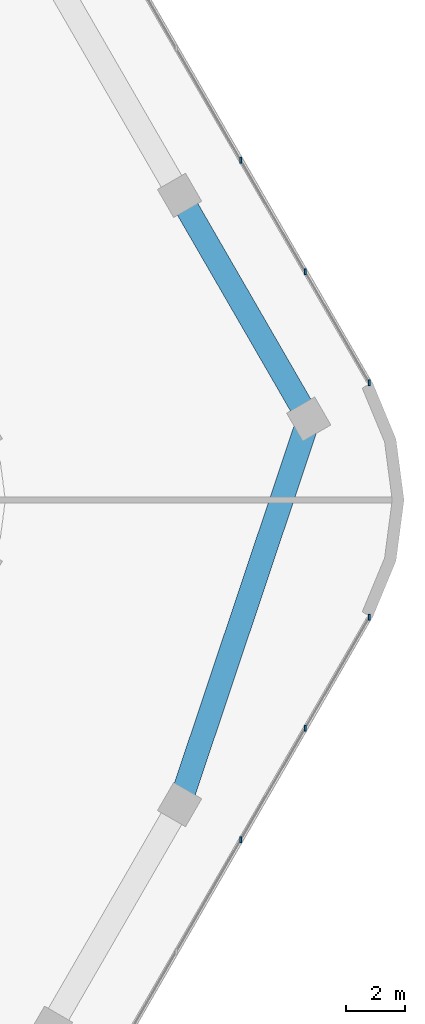
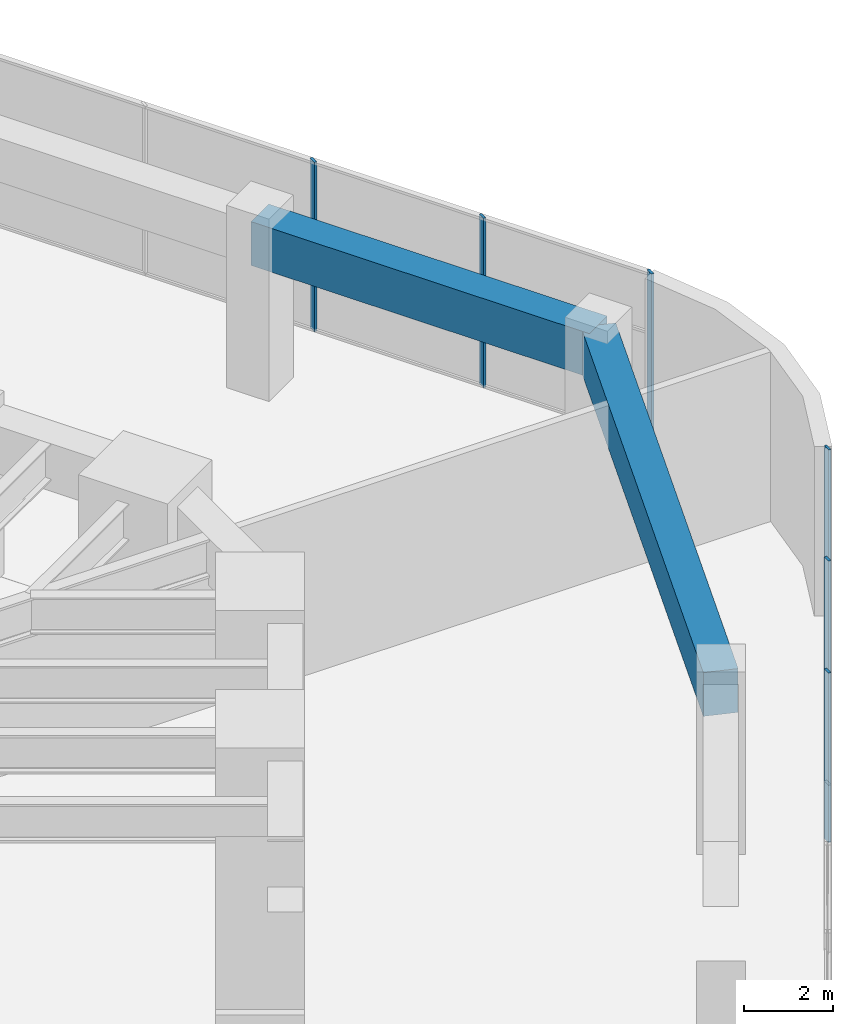
# One storey, part 14 of 31: 6 members, 2 beams, 2 elements without a shape of their own.
"""IFC4 building model written with IfcOpenShell, lengths in metres."""

from ifc_helpers import new_model, si_unit, direction, frame, origin, origin_2d, place, context, subcontext, project, spatial, rectangle, extrude, material, material_profile, profile_set, type_object, element, aggregate, save


model = new_model("IFC4")

# Units and contexts
model_context = context("Model", 3, precision=1e-05, world=origin(), true_north=direction((0.0, 1.0)))
body_context = subcontext(model_context, "Body", "Model", "MODEL_VIEW")
ifc_project = project(units=[si_unit("LENGTHUNIT", "METRE"), si_unit("AREAUNIT", "SQUARE_METRE"), si_unit("VOLUMEUNIT", "CUBIC_METRE"), si_unit("PLANEANGLEUNIT", "RADIAN"), si_unit("MASSUNIT", "GRAM", prefix="KILO")], contexts=[model_context])

# Site, building, storey
site_placement = place(None, origin())
site = spatial("IfcSite", under=ifc_project, at=site_placement, CompositionType="ELEMENT")
building_placement = place(site_placement, origin())
building = spatial("IfcBuilding", under=site, at=building_placement, Name="Tarfa Lantern Tower", CompositionType="ELEMENT")
storey_placement = place(building_placement, frame((0.0, 0.0, 18.5)))
storey = spatial("IfcBuildingStorey", under=building, at=storey_placement, Name="L03", CompositionType="ELEMENT", Elevation=18.5)

# Curtain wall, members
ifc_material_1 = material(Name="Aluminium framed curtain wall", Category="aluminium")
curtain_wall_type = type_object("IfcCurtainWallType", Name="CW7 PODIUM GLAZING 4650", PredefinedType="USERDEFINED", material=ifc_material_1)
curtain_wall_1_placement = place(storey_placement, origin())
curtain_wall_1 = element("IfcCurtainWall", 1, at=curtain_wall_1_placement, inside=storey, type_object=curtain_wall_type, Name="CW7 NE L03", ObjectType="CURTAIN WALL", PredefinedType="USERDEFINED")
ifc_material_2 = material(Name="Aluminium mullion", Category="aluminium")
ifc_material_profile_1 = material_profile(ifc_material_2, rectangle(XDim=0.06494140625, YDim=0.199951171875, at=origin_2d()), Name="AL MULLION 65x200")
ifc_profile_set_1 = profile_set([ifc_material_profile_1], Name="Aluminium mullion")
member_type = type_object("IfcMemberType", Name="CWM1 MULLION 65x200", PredefinedType="MULLION", material=ifc_profile_set_1)
member_1_placement = place(storey_placement, frame((50.703857421875, 3.97802734375, 0.0), z_axis=(0.0, 0.0, 1.0), x_axis=(1.0, 0.0, 0.0)))
member_1 = element("IfcMember", 2, at=member_1_placement, type_object=member_type, Name="CW7 mullion 1", PredefinedType="MULLION", context=body_context, shape_type="SweptSolid", body=[
    extrude(rectangle(XDim=0.06494140625, YDim=0.199951171875, at=origin_2d()), origin(), (0.0, 0.0, 1.0), 4.64990234375),
])
member_2_placement = place(storey_placement, frame((48.5263671875, 7.75, 0.0), z_axis=(0.0, 0.0, 1.0), x_axis=(1.0, 0.0, 0.0)))
member_2 = element("IfcMember", 3, at=member_2_placement, type_object=member_type, Name="CW7 mullion 2", PredefinedType="MULLION", context=body_context, shape_type="SweptSolid", body=[
    extrude(rectangle(XDim=0.06494140625, YDim=0.199951171875, at=origin_2d()), origin(), (0.0, 0.0, 1.0), 4.64990234375),
])
member_3_placement = place(storey_placement, frame((46.332275390625, 11.550048828125, 0.0), z_axis=(0.0, 0.0, 1.0), x_axis=(1.0, 0.0, 0.0)))
member_3 = element("IfcMember", 4, at=member_3_placement, type_object=member_type, Name="CW7 mullion 3", PredefinedType="MULLION", context=body_context, shape_type="SweptSolid", body=[
    extrude(rectangle(XDim=0.06494140625, YDim=0.199951171875, at=origin_2d()), origin(), (0.0, 0.0, 1.0), 4.64990234375),
])
aggregate(curtain_wall_1, [member_1, member_2, member_3])

curtain_wall_2_placement = place(storey_placement, origin())
curtain_wall_2 = element("IfcCurtainWall", 5, at=curtain_wall_2_placement, inside=storey, type_object=curtain_wall_type, Name="CW7 SE L03", ObjectType="CURTAIN WALL", PredefinedType="USERDEFINED")
member_4_placement = place(storey_placement, frame((46.332275390625, -11.550048828125, 0.0), z_axis=(0.0, 0.0, 1.0), x_axis=(1.0, 0.0, 0.0)))
member_4 = element("IfcMember", 6, at=member_4_placement, type_object=member_type, Name="CW7 mullion 9", PredefinedType="MULLION", context=body_context, shape_type="SweptSolid", body=[
    extrude(rectangle(XDim=0.06494140625, YDim=0.199951171875, at=origin_2d()), origin(), (0.0, 0.0, 1.0), 4.64990234375),
])
member_5_placement = place(storey_placement, frame((48.5263671875, -7.75, 0.0), z_axis=(0.0, 0.0, 1.0), x_axis=(1.0, 0.0, 0.0)))
member_5 = element("IfcMember", 7, at=member_5_placement, type_object=member_type, Name="CW7 mullion 10", PredefinedType="MULLION", context=body_context, shape_type="SweptSolid", body=[
    extrude(rectangle(XDim=0.06494140625, YDim=0.199951171875, at=origin_2d()), origin(), (0.0, 0.0, 1.0), 4.64990234375),
])
member_6_placement = place(storey_placement, frame((50.703857421875, -3.97802734375, 0.0), z_axis=(0.0, 0.0, 1.0), x_axis=(1.0, 0.0, 0.0)))
member_6 = element("IfcMember", 8, at=member_6_placement, type_object=member_type, Name="CW7 mullion 11", PredefinedType="MULLION", context=body_context, shape_type="SweptSolid", body=[
    extrude(rectangle(XDim=0.06494140625, YDim=0.199951171875, at=origin_2d()), origin(), (0.0, 0.0, 1.0), 4.64990234375),
])
aggregate(curtain_wall_2, [member_4, member_5, member_6])

# Beams
ifc_material_3 = material(Name="Concrete C80/95", Category="concrete")
ifc_material_profile_2 = material_profile(ifc_material_3, rectangle(XDim=0.800048828125, YDim=1.199951171875, at=origin_2d()), Name="RC 800x1200")
ifc_profile_set_2 = profile_set([ifc_material_profile_2], Name="Concrete C80/95")
beam_type = type_object("IfcBeamType", Name="PB2 RC 800x1200", PredefinedType="BEAM", material=ifc_profile_set_2)
beam_1_placement = place(storey_placement, frame((48.641845703125, 2.75, 4.050048828125), z_axis=(-0.50000179687, 0.866024366359, 0.0), x_axis=(-0.866024366359, -0.50000179687, 0.0)))
element("IfcBeam", 9, at=beam_1_placement, inside=storey, type_object=beam_type, Name="Podium ring beam NE0", PredefinedType="BEAM", context=body_context, shape_type="SweptSolid", body=[
    extrude(rectangle(XDim=0.800048828125, YDim=1.199951171875, at=origin_2d()), origin(), (0.0, 0.0, 1.0), 8.77587890625),
])
beam_2_placement = place(storey_placement, frame((44.25390625, -10.35009765625, 4.050048828125), z_axis=(0.317611113529, 0.948221061021, 0.0), x_axis=(-0.948221061021, 0.317611113529, 0.0)))
element("IfcBeam", 10, at=beam_2_placement, inside=storey, type_object=beam_type, Name="Podium ring beam SE4", PredefinedType="BEAM", context=body_context, shape_type="SweptSolid", body=[
    extrude(rectangle(XDim=0.800048828125, YDim=1.199951171875, at=origin_2d()), origin(), (0.0, 0.0, 1.0), 13.8154296875),
])

save(model, "model.ifc")
